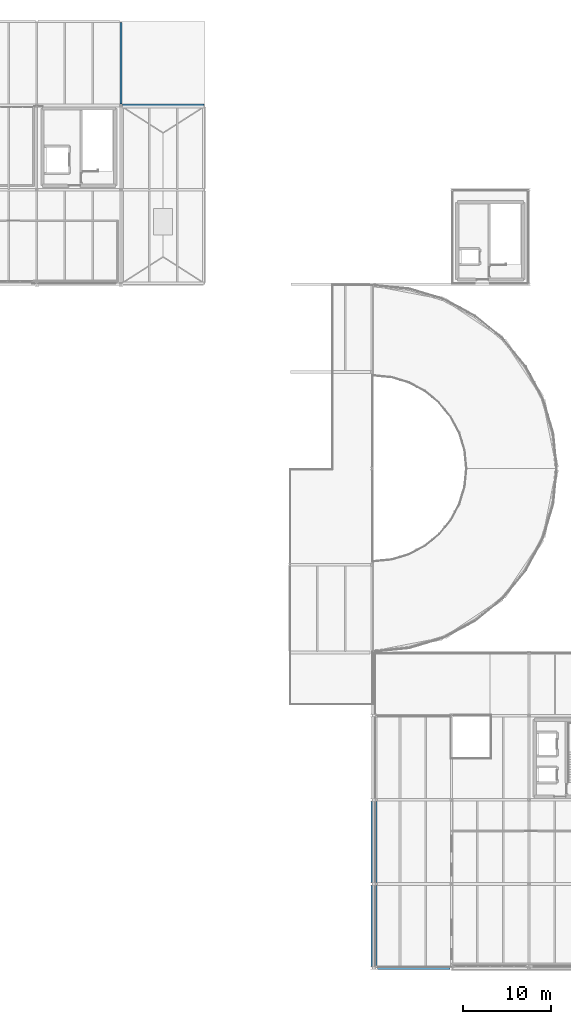
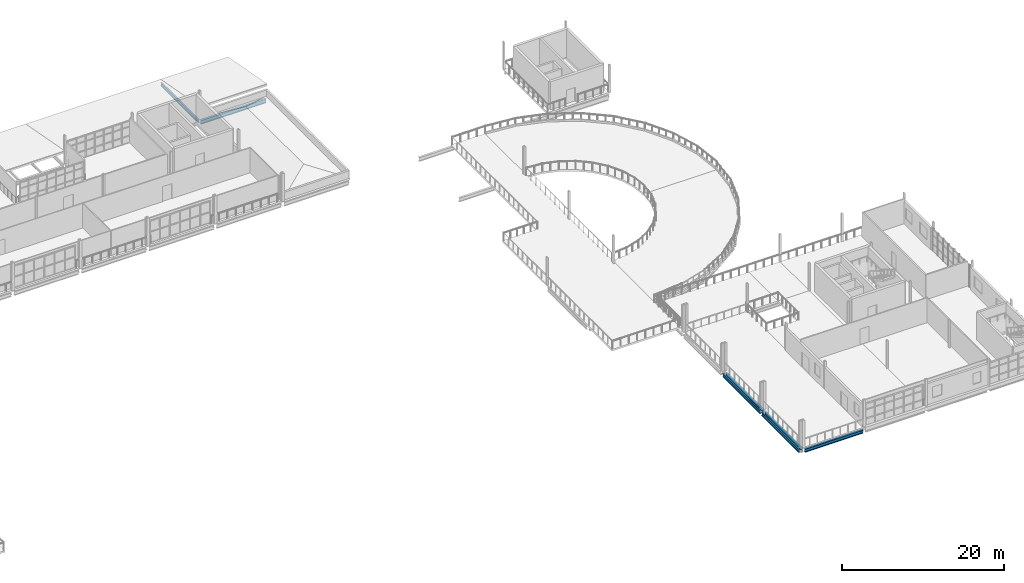
# One storey, part 28 of 58: 7 beams.
"""IFC4 building model written with IfcOpenShell, lengths in metres."""

from ifc_helpers import new_model, si_unit, direction, frame, origin, origin_2d, place, context, subcontext, project, spatial, i_section, extrude, material, material_profile, profile_set, type_object, element, save


model = new_model("IFC4")

# Units and contexts
model_context = context("Model", 3, precision=1e-05, world=origin(), true_north=direction((0.0, 1.0)))
body_context = subcontext(model_context, "Body", "Model", "MODEL_VIEW")
ifc_project = project(units=[si_unit("LENGTHUNIT", "METRE"), si_unit("AREAUNIT", "SQUARE_METRE"), si_unit("VOLUMEUNIT", "CUBIC_METRE"), si_unit("PLANEANGLEUNIT", "RADIAN"), si_unit("MASSUNIT", "GRAM", prefix="KILO")], contexts=[model_context])

# Site, building, storey
site_placement = place(None, origin())
site = spatial("IfcSite", under=ifc_project, at=site_placement, CompositionType="ELEMENT")
building_placement = place(site_placement, origin())
building = spatial("IfcBuilding", under=site, at=building_placement, Name="Yeouljin Market Hall", CompositionType="ELEMENT")
storey_placement = place(building_placement, frame((0.0, 0.0, 10.800048828125)))
storey = spatial("IfcBuildingStorey", under=building, at=storey_placement, Name="L02", CompositionType="ELEMENT", Elevation=10.800048828125)

# Beams
ifc_material_1 = material(Name="Steel SM355", Category="steel")
ifc_material_profile_1 = material_profile(ifc_material_1, i_section(OverallWidth=0.199951171875, OverallDepth=0.5, WebThickness=0.010009765625, FlangeThickness=0.01611328125, FilletRadius=0.02001953125, at=origin_2d()), Name="H-500x200x10x16")
ifc_profile_set_1 = profile_set([ifc_material_profile_1], Name="Steel SM355")
beam_type_1 = type_object("IfcBeamType", Name="Beam_H-500x200x10x16", PredefinedType="BEAM", material=ifc_profile_set_1)
beam_1_placement = place(storey_placement, frame((112.199951171875, 98.550048828125, -0.550048828125), z_axis=(0.0, 1.0, 0.0), x_axis=(-1.0, 0.0, 0.0)))
element("IfcBeam", 1, at=beam_1_placement, inside=storey, type_object=beam_type_1, Name="Primary beam BM-L02-Y124", PredefinedType="BEAM", context=body_context, shape_type="SweptSolid", body=[
    extrude(i_section(OverallWidth=0.199951171875, OverallDepth=0.5, WebThickness=0.010009765625, FlangeThickness=0.01611328125, FilletRadius=0.02001953125, at=origin_2d()), origin(), (0.0, 0.0, 1.0), 9.300048828125),
])
for number, where, z_axis, x_axis, name in (
    (2, (140.81005859375, 0.175048828125, -0.449951171875), (0.0, 1.0, 0.0), (-1.0, 0.0, 0.0), "Primary beam BM-L02-Y128"),
    (3, (140.81005859375, 9.77490234375, -0.449951171875), (0.0, 1.0, 0.0), (-1.0, 0.0, 0.0), "Primary beam BM-L02-Y129"),
    (4, (141.27001953125, 0.175048828125, -0.449951171875), (0.0, 1.0, 0.0), (-1.0, 0.0, 0.0), "Primary beam BM-L02-Y136"),
    (5, (141.27001953125, 9.77490234375, -0.449951171875), (0.0, 1.0, 0.0), (-1.0, 0.0, 0.0), "Primary beam BM-L02-Y137"),
):
    element("IfcBeam", number, at=place(storey_placement, frame(where, z_axis=z_axis, x_axis=x_axis)), inside=storey, type_object=beam_type_1, Name=name, PredefinedType="BEAM", context=body_context, shape_type="SweptSolid", body=[
        extrude(i_section(OverallWidth=0.199951171875, OverallDepth=0.5, WebThickness=0.010009765625, FlangeThickness=0.01611328125, FilletRadius=0.02001953125, at=origin_2d()), origin(), (0.0, 0.0, 1.0), 9.25),
    ])
ifc_material_2 = material(Name="Steel SM355", Category="steel")
ifc_material_profile_2 = material_profile(ifc_material_2, i_section(OverallWidth=0.300048828125, OverallDepth=0.488037109375, WebThickness=0.010986328125, FlangeThickness=0.01806640625, FilletRadius=0.02197265625, at=origin_2d()), Name="H-488x300x11x18")
ifc_profile_set_2 = profile_set([ifc_material_profile_2], Name="Steel SM355")
beam_type_2 = type_object("IfcBeamType", Name="Girder_H-488x300x11x18", PredefinedType="USERDEFINED", material=ifc_profile_set_2)
beam_2_placement = place(storey_placement, frame((141.445068359375, 0.0, -0.509033203125), z_axis=(1.0, 0.0, 0.0), x_axis=(0.0, 1.0, 0.0)))
element("IfcBeam", 6, at=beam_2_placement, inside=storey, type_object=beam_type_2, Name="Primary girder GRD-L02-X005", ObjectType="GIRDER", PredefinedType="USERDEFINED", context=body_context, shape_type="SweptSolid", body=[
    extrude(i_section(OverallWidth=0.300048828125, OverallDepth=0.488037109375, WebThickness=0.010986328125, FlangeThickness=0.01806640625, FilletRadius=0.02197265625, at=origin_2d()), origin(), (0.0, 0.0, 1.0), 8.2900390625),
])
ifc_material_3 = material(Name="Steel SM355", Category="steel")
ifc_material_profile_3 = material_profile(ifc_material_3, i_section(OverallWidth=0.300048828125, OverallDepth=0.587890625, WebThickness=0.011962890625, FlangeThickness=0.02001953125, FilletRadius=0.02392578125, at=origin_2d()), Name="H-588x300x12x20")
ifc_profile_set_3 = profile_set([ifc_material_profile_3], Name="Steel SM355")
beam_type_3 = type_object("IfcBeamType", Name="Girder_H-588x300x12x20", PredefinedType="USERDEFINED", material=ifc_profile_set_3)
beam_3_placement = place(storey_placement, frame((112.35009765625, 98.39990234375, -0.593994140625), z_axis=(1.0, 0.0, 0.0), x_axis=(0.0, 1.0, 0.0)))
element("IfcBeam", 7, at=beam_3_placement, inside=storey, type_object=beam_type_3, Name="Primary girder GRD-L02-X071", ObjectType="GIRDER", PredefinedType="USERDEFINED", context=body_context, shape_type="SweptSolid", body=[
    extrude(i_section(OverallWidth=0.300048828125, OverallDepth=0.587890625, WebThickness=0.011962890625, FlangeThickness=0.02001953125, FilletRadius=0.02392578125, at=origin_2d()), origin(), (0.0, 0.0, 1.0), 9.2998046875),
])

save(model, "model.ifc")
